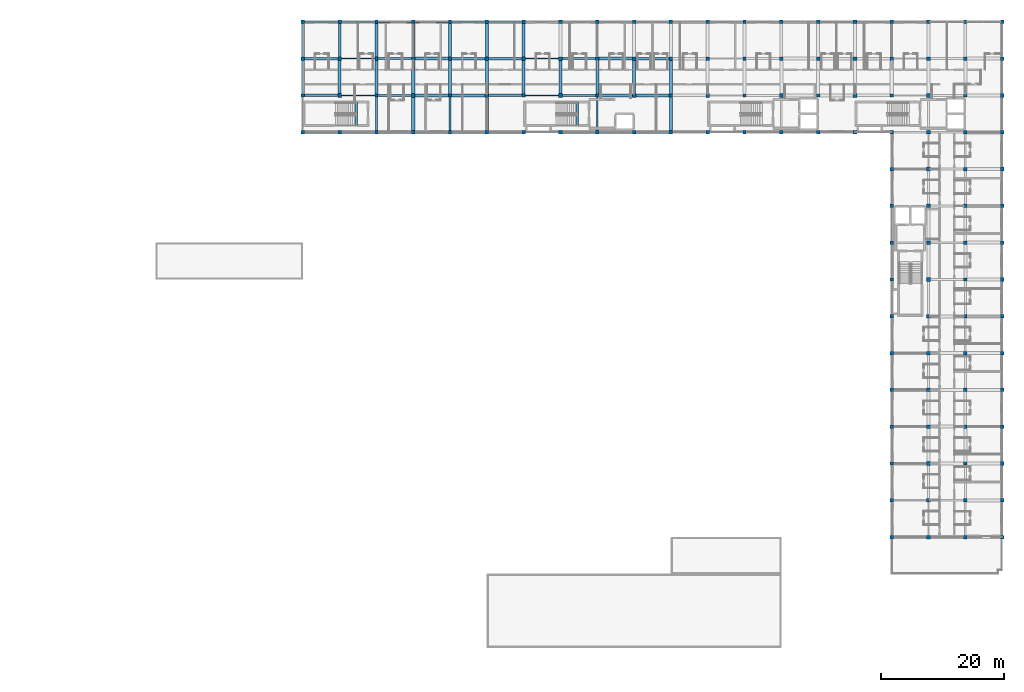
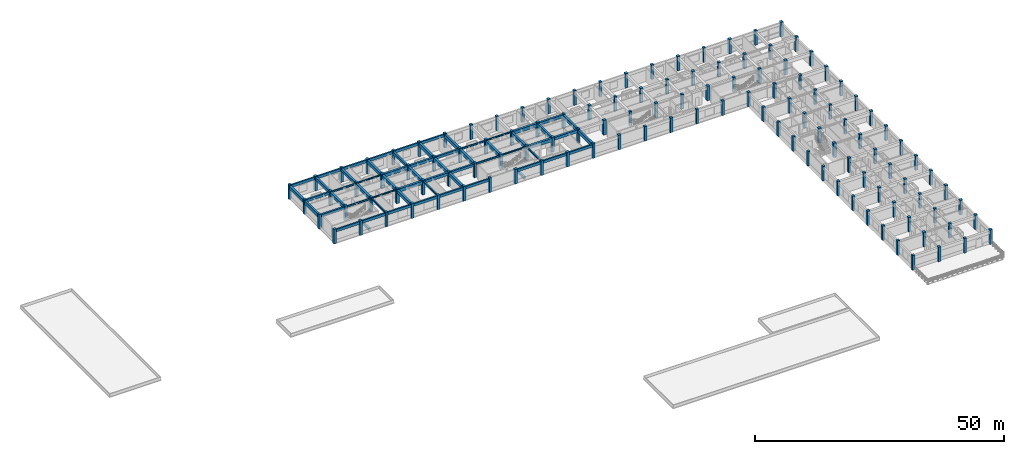
# One storey, part 1 of 25: 124 columns, 61 beams.
"""IFC4 building model written with IfcOpenShell, lengths in metres."""

import ifcopenshell
import ifcopenshell.guid

model = None  # the IFC model being written
_history = None  # IfcOwnerHistory: only IFC2X3 demands one
_inside = {}  # id of a spatial element -> (the spatial element, [elements in it])
_under = {}  # id of a project, library or spatial element -> (it, [spatial elements below it])
_declared = {}  # id of a project -> (the project, [libraries it declares])
_typed = {}  # id of a type object -> (the type object, [elements of that type])
_made_of = {}  # id of a material, layer set ... -> (it, [elements and type objects made of it])


def new_model(schema):
    """Start an empty IFC model of exactly this schema.

    Asked for "IFC4X3", IfcOpenShell would pick the latest addendum, in which some entities
    have other attributes; the version numbers below select the first issue.
    IFC2X3 requires an IfcOwnerHistory on every rooted entity: one is made here for all.
    """
    global model, _history
    if schema == "IFC4X3":
        model = ifcopenshell.file(schema_version=(4, 3, 0, 0))
    else:
        model = ifcopenshell.file(schema=schema)
    _inside.clear()
    _under.clear()
    _declared.clear()
    _typed.clear()
    _made_of.clear()
    _history = None
    if model.schema == "IFC2X3":
        org = make("IfcOrganization", Name="unknown")
        user = make(
            "IfcPersonAndOrganization",
            ThePerson=make("IfcPerson", FamilyName="unknown"),
            TheOrganization=org,
        )
        app = make(
            "IfcApplication",
            ApplicationDeveloper=org,
            Version="unknown",
            ApplicationFullName="unknown",
            ApplicationIdentifier="unknown",
        )
        _history = make(
            "IfcOwnerHistory",
            OwningUser=user,
            OwningApplication=app,
            ChangeAction="ADDED",
            CreationDate=0,
        )
    return model


def make(cls, **values):
    """One entity of the class cls with the attributes given. An attribute that is None is left unset."""
    return model.create_entity(
        cls, **{name: value for name, value in values.items() if value is not None}
    )


def rooted(cls, **values):
    """An entity with a GlobalId (a new one), such as an element, a storey or a relation."""
    return make(cls, GlobalId=ifcopenshell.guid.new(), OwnerHistory=_history, **values)


def si_unit(unit_type, name, prefix=None):
    """IfcSIUnit, for example si_unit("LENGTHUNIT", "METRE", prefix="MILLI")."""
    return make("IfcSIUnit", UnitType=unit_type, Prefix=prefix, Name=name)


def assignment(units):
    """IfcUnitAssignment: the units of a project."""
    return None if units is None else make("IfcUnitAssignment", Units=units)


def point(xyz):
    """IfcCartesianPoint."""
    return None if xyz is None else make("IfcCartesianPoint", Coordinates=xyz)


def direction(xyz):
    """IfcDirection."""
    return None if xyz is None else make("IfcDirection", DirectionRatios=xyz)


def frame(location, z_axis=None, x_axis=None):
    """IfcAxis2Placement3D, a coordinate frame: its origin and axes. An axis left out is left unset."""
    return make(
        "IfcAxis2Placement3D",
        Location=point(location),
        Axis=direction(z_axis),
        RefDirection=direction(x_axis),
    )


def frame_2d(location, x_axis=None):
    """IfcAxis2Placement2D, a coordinate frame in the plane: its origin and x axis."""
    return make(
        "IfcAxis2Placement2D", Location=point(location), RefDirection=direction(x_axis)
    )


def origin():
    """The frame at (0, 0, 0) with its axes left unset."""
    return frame((0.0, 0.0, 0.0))


def origin_2d():
    """The frame at (0, 0) in the plane with its x axis left unset."""
    return frame_2d((0.0, 0.0))


def place(relative_to, where):
    """IfcLocalPlacement: puts the frame where relative to a parent placement (None: the world)."""
    return make(
        "IfcLocalPlacement", PlacementRelTo=relative_to, RelativePlacement=where
    )


def context(
    kind, dimensions, precision=None, world=None, true_north=None, identifier=None
):
    """IfcGeometricRepresentationContext, for example the 3D "Model" context."""
    return make(
        "IfcGeometricRepresentationContext",
        ContextIdentifier=identifier,
        ContextType=kind,
        CoordinateSpaceDimension=dimensions,
        Precision=precision,
        WorldCoordinateSystem=world,
        TrueNorth=true_north,
    )


def subcontext(parent, identifier, kind, view, scale=None):
    """IfcGeometricRepresentationSubContext, for example "Body" below "Model"."""
    return make(
        "IfcGeometricRepresentationSubContext",
        ContextIdentifier=identifier,
        ContextType=kind,
        ParentContext=parent,
        TargetScale=scale,
        TargetView=view,
    )


def project(units=None, contexts=None):
    """IfcProject with its units and contexts."""
    return rooted(
        "IfcProject",
        Name="project",
        RepresentationContexts=contexts,
        UnitsInContext=assignment(units),
    )


def spatial(cls, under=None, at=None, **own):
    """A site, building, storey or space (cls), placed at a placement, below another one or the project."""
    s = rooted(cls, ObjectPlacement=at, **own)
    if under is not None:
        _under.setdefault(under.id(), (under, []))[1].append(s)
    return s


def profile(cls, at=None, kind="AREA", **sizes):
    """A parametric profile (cls). Its sizes go by their IFC names, for example OverallWidth=200.0."""
    return make(cls, ProfileType=kind, Position=at, **sizes)


def rectangle(**sizes):
    """IfcRectangleProfileDef."""
    return profile("IfcRectangleProfileDef", **sizes)


def i_section(**sizes):
    """IfcIShapeProfileDef."""
    return profile("IfcIShapeProfileDef", **sizes)


def extrude(swept, where, along, depth):
    """IfcExtrudedAreaSolid: the profile swept, set in the frame where, extruded along a direction by depth."""
    return make(
        "IfcExtrudedAreaSolid",
        SweptArea=swept,
        Position=where,
        ExtrudedDirection=direction(along),
        Depth=depth,
    )


def shape(context_of_items, identifier, shape_type, items):
    """IfcShapeRepresentation: the items that make up one representation, for example the "Body"."""
    return make(
        "IfcShapeRepresentation",
        ContextOfItems=context_of_items,
        RepresentationIdentifier=identifier,
        RepresentationType=shape_type,
        Items=items,
    )


def material(Name=None, Category=None):
    """IfcMaterial."""
    return make("IfcMaterial", Name=Name, Category=Category)


def material_profile(
    of_material, cross_section, Name=None, Category=None, Priority=None
):
    """IfcMaterialProfile: a cross section and its material."""
    return make(
        "IfcMaterialProfile",
        Name=Name,
        Material=of_material,
        Profile=cross_section,
        Priority=Priority,
        Category=Category,
    )


def profile_set(profiles, Name=None, composite=None):
    """IfcMaterialProfileSet."""
    return make(
        "IfcMaterialProfileSet",
        Name=Name,
        MaterialProfiles=profiles,
        CompositeProfile=composite,
    )


def made_of(thing, what):
    """Note that an element or type object is made of a material, layer set ...; save() writes the relation."""
    if what is not None:
        _made_of.setdefault(what.id(), (what, []))[1].append(thing)
    return thing


def type_object(cls, material=None, **own):
    """A type object (cls), such as IfcWallType, which elements share."""
    return made_of(rooted(cls, **own), material)


def element(
    cls,
    number,
    at=None,
    inside=None,
    cuts=None,
    type_object=None,
    material=None,
    context=None,
    identifier="Body",
    shape_type=None,
    held_by="IfcProductDefinitionShape",
    body=None,
    shapes=None,
    **own,
):
    """One element of the class cls, such as IfcWall. Its Tag is "e" and its number.

    at: its placement. inside: the storey or other place that contains it. cuts: it is an
    opening in that element (IfcRelVoidsElement). A single representation is given by context,
    identifier, shape_type and body (its items); several are given by shapes. held_by: the class
    of the entity that holds the representations. save() writes the other relations.
    """
    e = rooted(cls, Tag="e%d" % number, ObjectPlacement=at, **own)
    if body is not None:
        shapes = [shape(context, identifier, shape_type, body)]
    if shapes is not None:
        e.Representation = make(held_by, Representations=shapes)
    if inside is not None:
        _inside.setdefault(inside.id(), (inside, []))[1].append(e)
    if cuts is not None:
        rooted(
            "IfcRelVoidsElement", RelatingBuildingElement=cuts, RelatedOpeningElement=e
        )
    if type_object is not None:
        _typed.setdefault(type_object.id(), (type_object, []))[1].append(e)
    return made_of(e, material)


def aggregate(whole, parts):
    """IfcRelAggregates: a whole, such as a stair, and the parts it consists of."""
    return rooted("IfcRelAggregates", RelatingObject=whole, RelatedObjects=parts)


def save(model, path):
    """Write the relations noted so far, then the file.

    IfcRelAggregates (storeys below a building ...), IfcRelContainedInSpatialStructure (elements
    in a storey), IfcRelDefinesByType, IfcRelAssociatesMaterial and IfcRelDeclares: one each for
    every whole, place, type object, material and project.
    """
    for whole, parts in _under.values():
        aggregate(whole, parts)
    for where, things in _inside.values():
        rooted(
            "IfcRelContainedInSpatialStructure",
            RelatedElements=things,
            RelatingStructure=where,
        )
    for kind, things in _typed.values():
        rooted("IfcRelDefinesByType", RelatedObjects=things, RelatingType=kind)
    for what, things in _made_of.values():
        rooted("IfcRelAssociatesMaterial", RelatedObjects=things, RelatingMaterial=what)
    for by, libraries in _declared.values():
        rooted("IfcRelDeclares", RelatingContext=by, RelatedDefinitions=libraries)
    model.write(path)


model = new_model("IFC4")

# Units and contexts
model_context = context("Model", 3, precision=1e-05, world=origin(), true_north=direction((0.0, 1.0)))
body_context = subcontext(model_context, "Body", "Model", "MODEL_VIEW")
ifc_project = project(units=[si_unit("LENGTHUNIT", "METRE"), si_unit("AREAUNIT", "SQUARE_METRE"), si_unit("VOLUMEUNIT", "CUBIC_METRE"), si_unit("PLANEANGLEUNIT", "RADIAN"), si_unit("MASSUNIT", "GRAM", prefix="KILO"), si_unit("THERMODYNAMICTEMPERATUREUNIT", "KELVIN"), si_unit("POWERUNIT", "WATT")], contexts=[model_context])

# Site, building, storey
site_placement = place(None, origin())
site = spatial("IfcSite", under=ifc_project, at=site_placement, CompositionType="ELEMENT")
building_placement = place(site_placement, origin())
building = spatial("IfcBuilding", under=site, at=building_placement, Name="Phaisarnlok Congress Hotel", CompositionType="ELEMENT")
storey_placement = place(building_placement, frame((0.0, 0.0, 24.60009765625)))
storey = spatial("IfcBuildingStorey", under=building, at=storey_placement, Name="L05", CompositionType="ELEMENT", Elevation=24.60009765625)

# Columns
ifc_material_1 = material(Name="Concrete C50/60", Category="concrete")
ifc_material_profile_1 = material_profile(ifc_material_1, rectangle(XDim=0.550048828125, YDim=0.550048828125, at=origin_2d()), Name="RC 550x550")
ifc_profile_set_1 = profile_set([ifc_material_profile_1], Name="Concrete C50/60")
column_type_1 = type_object("IfcColumnType", Name="COL-RC-550", PredefinedType="COLUMN", material=ifc_profile_set_1)
for number, where, z_axis, x_axis, name in (
    (1, (66.0, 108.0, 0.0), (0.0, 0.0, 1.0), (1.0, 0.0, 0.0), "Column C-02 (L05)"),
    (2, (66.0, 114.0, 0.0), (0.0, 0.0, 1.0), (1.0, 0.0, 0.0), "Column C-02 (L05)"),
    (3, (66.0, 120.0, 0.0), (0.0, 0.0, 1.0), (1.0, 0.0, 0.0), "Column C-02 (L05)"),
    (4, (78.0, 108.0, 0.0), (0.0, 0.0, 1.0), (1.0, 0.0, 0.0), "Column C-02 (L05)"),
    (5, (78.0, 114.0, 0.0), (0.0, 0.0, 1.0), (1.0, 0.0, 0.0), "Column C-02 (L05)"),
    (6, (78.0, 120.0, 0.0), (0.0, 0.0, 1.0), (1.0, 0.0, 0.0), "Column C-02 (L05)"),
    (7, (90.0, 108.0, 0.0), (0.0, 0.0, 1.0), (1.0, 0.0, 0.0), "Column C-02 (L05)"),
    (8, (90.0, 114.0, 0.0), (0.0, 0.0, 1.0), (1.0, 0.0, 0.0), "Column C-02 (L05)"),
    (9, (90.0, 120.0, 0.0), (0.0, 0.0, 1.0), (1.0, 0.0, 0.0), "Column C-02 (L05)"),
    (10, (102.0, 108.0, 0.0), (0.0, 0.0, 1.0), (1.0, 0.0, 0.0), "Column C-02 (L05)"),
    (11, (102.0, 114.0, 0.0), (0.0, 0.0, 1.0), (1.0, 0.0, 0.0), "Column C-02 (L05)"),
    (12, (102.0, 120.0, 0.0), (0.0, 0.0, 1.0), (1.0, 0.0, 0.0), "Column C-02 (L05)"),
    (13, (114.0, 108.0, 0.0), (0.0, 0.0, 1.0), (1.0, 0.0, 0.0), "Column C-02 (L05)"),
    (14, (114.0, 114.0, 0.0), (0.0, 0.0, 1.0), (1.0, 0.0, 0.0), "Column C-02 (L05)"),
    (15, (114.0, 120.0, 0.0), (0.0, 0.0, 1.0), (1.0, 0.0, 0.0), "Column C-02 (L05)"),
    (16, (126.0, 108.0, 0.0), (0.0, 0.0, 1.0), (1.0, 0.0, 0.0), "Column C-02 (L05)"),
    (17, (126.0, 114.0, 0.0), (0.0, 0.0, 1.0), (1.0, 0.0, 0.0), "Column C-02 (L05)"),
    (18, (126.0, 120.0, 0.0), (0.0, 0.0, 1.0), (1.0, 0.0, 0.0), "Column C-02 (L05)"),
    (19, (138.0, 108.0, 0.0), (0.0, 0.0, 1.0), (1.0, 0.0, 0.0), "Column C-02 (L05)"),
    (20, (138.0, 114.0, 0.0), (0.0, 0.0, 1.0), (1.0, 0.0, 0.0), "Column C-02 (L05)"),
    (21, (138.0, 120.0, 0.0), (0.0, 0.0, 1.0), (1.0, 0.0, 0.0), "Column C-02 (L05)"),
    (22, (150.0, 108.0, 0.0), (0.0, 0.0, 1.0), (1.0, 0.0, 0.0), "Column C-02 (L05)"),
    (23, (150.0, 114.0, 0.0), (0.0, 0.0, 1.0), (1.0, 0.0, 0.0), "Column C-02 (L05)"),
    (24, (150.0, 120.0, 0.0), (0.0, 0.0, 1.0), (1.0, 0.0, 0.0), "Column C-02 (L05)"),
    (25, (162.0, 42.0, 0.0), (0.0, 0.0, 1.0), (1.0, 0.0, 0.0), "Column C-02 (L05)"),
    (26, (162.0, 48.0, 0.0), (0.0, 0.0, 1.0), (1.0, 0.0, 0.0), "Column C-02 (L05)"),
    (27, (162.0, 54.0, 0.0), (0.0, 0.0, 1.0), (1.0, 0.0, 0.0), "Column C-02 (L05)"),
    (28, (162.0, 60.0, 0.0), (0.0, 0.0, 1.0), (1.0, 0.0, 0.0), "Column C-02 (L05)"),
    (29, (162.0, 66.0, 0.0), (0.0, 0.0, 1.0), (1.0, 0.0, 0.0), "Column C-02 (L05)"),
    (30, (162.0, 72.0, 0.0), (0.0, 0.0, 1.0), (1.0, 0.0, 0.0), "Column C-02 (L05)"),
    (31, (162.0, 78.0, 0.0), (0.0, 0.0, 1.0), (1.0, 0.0, 0.0), "Column C-02 (L05)"),
    (32, (162.0, 84.0, 0.0), (0.0, 0.0, 1.0), (1.0, 0.0, 0.0), "Column C-02 (L05)"),
    (33, (162.0, 90.0, 0.0), (0.0, 0.0, 1.0), (1.0, 0.0, 0.0), "Column C-02 (L05)"),
    (34, (162.0, 96.0, 0.0), (0.0, 0.0, 1.0), (1.0, 0.0, 0.0), "Column C-02 (L05)"),
    (35, (162.0, 102.0, 0.0), (0.0, 0.0, 1.0), (1.0, 0.0, 0.0), "Column C-02 (L05)"),
    (36, (162.0, 108.0, 0.0), (0.0, 0.0, 1.0), (1.0, 0.0, 0.0), "Column C-02 (L05)"),
    (37, (162.0, 114.0, 0.0), (0.0, 0.0, 1.0), (1.0, 0.0, 0.0), "Column C-02 (L05)"),
    (38, (162.0, 120.0, 0.0), (0.0, 0.0, 1.0), (1.0, 0.0, 0.0), "Column C-02 (L05)"),
    (39, (174.0, 42.0, 0.0), (0.0, 0.0, 1.0), (1.0, 0.0, 0.0), "Column C-02 (L05)"),
    (40, (174.0, 48.0, 0.0), (0.0, 0.0, 1.0), (1.0, 0.0, 0.0), "Column C-02 (L05)"),
    (41, (174.0, 54.0, 0.0), (0.0, 0.0, 1.0), (1.0, 0.0, 0.0), "Column C-02 (L05)"),
    (42, (174.0, 60.0, 0.0), (0.0, 0.0, 1.0), (1.0, 0.0, 0.0), "Column C-02 (L05)"),
    (43, (174.0, 66.0, 0.0), (0.0, 0.0, 1.0), (1.0, 0.0, 0.0), "Column C-02 (L05)"),
    (44, (174.0, 72.0, 0.0), (0.0, 0.0, 1.0), (1.0, 0.0, 0.0), "Column C-02 (L05)"),
    (45, (174.0, 78.0, 0.0), (0.0, 0.0, 1.0), (1.0, 0.0, 0.0), "Column C-02 (L05)"),
    (46, (174.0, 84.0, 0.0), (0.0, 0.0, 1.0), (1.0, 0.0, 0.0), "Column C-02 (L05)"),
    (47, (174.0, 90.0, 0.0), (0.0, 0.0, 1.0), (1.0, 0.0, 0.0), "Column C-02 (L05)"),
    (48, (174.0, 96.0, 0.0), (0.0, 0.0, 1.0), (1.0, 0.0, 0.0), "Column C-02 (L05)"),
    (49, (174.0, 102.0, 0.0), (0.0, 0.0, 1.0), (1.0, 0.0, 0.0), "Column C-02 (L05)"),
    (50, (174.0, 108.0, 0.0), (0.0, 0.0, 1.0), (1.0, 0.0, 0.0), "Column C-02 (L05)"),
    (51, (174.0, 114.0, 0.0), (0.0, 0.0, 1.0), (1.0, 0.0, 0.0), "Column C-02 (L05)"),
    (52, (174.0, 120.0, 0.0), (0.0, 0.0, 1.0), (1.0, 0.0, 0.0), "Column C-02 (L05)"),
):
    element("IfcColumn", number, at=place(storey_placement, frame(where, z_axis=z_axis, x_axis=x_axis)), inside=storey, type_object=column_type_1, Name=name, PredefinedType="COLUMN", context=body_context, shape_type="SweptSolid", body=[
        extrude(rectangle(XDim=0.550048828125, YDim=0.550048828125, at=origin_2d()), origin(), (0.0, 0.0, 1.0), 3.599853515625),
    ])
ifc_material_profile_2 = material_profile(ifc_material_1, rectangle(XDim=0.550048828125, YDim=0.550048828125, at=origin_2d()), Name="RC 550x550")
ifc_profile_set_2 = profile_set([ifc_material_profile_2], Name="Concrete C50/60")
column_type_2 = type_object("IfcColumnType", Name="COL-RC-550-EXT", PredefinedType="COLUMN", material=ifc_profile_set_2)
for number, where, z_axis, x_axis, name in (
    (53, (66.0, 126.0, 0.0), (0.0, 0.0, 1.0), (1.0, 0.0, 0.0), "Column C-02E (L05)"),
    (54, (78.0, 126.0, 0.0), (0.0, 0.0, 1.0), (1.0, 0.0, 0.0), "Column C-02E (L05)"),
    (55, (90.0, 126.0, 0.0), (0.0, 0.0, 1.0), (1.0, 0.0, 0.0), "Column C-02E (L05)"),
    (56, (102.0, 126.0, 0.0), (0.0, 0.0, 1.0), (1.0, 0.0, 0.0), "Column C-02E (L05)"),
    (57, (114.0, 126.0, 0.0), (0.0, 0.0, 1.0), (1.0, 0.0, 0.0), "Column C-02E (L05)"),
    (58, (126.0, 126.0, 0.0), (0.0, 0.0, 1.0), (1.0, 0.0, 0.0), "Column C-02E (L05)"),
    (59, (138.0, 126.0, 0.0), (0.0, 0.0, 1.0), (1.0, 0.0, 0.0), "Column C-02E (L05)"),
    (60, (150.0, 126.0, 0.0), (0.0, 0.0, 1.0), (1.0, 0.0, 0.0), "Column C-02E (L05)"),
    (61, (162.0, 126.0, 0.0), (0.0, 0.0, 1.0), (1.0, 0.0, 0.0), "Column C-02E (L05)"),
    (62, (174.0, 126.0, 0.0), (0.0, 0.0, 1.0), (1.0, 0.0, 0.0), "Column C-02E (L05)"),
):
    element("IfcColumn", number, at=place(storey_placement, frame(where, z_axis=z_axis, x_axis=x_axis)), inside=storey, type_object=column_type_2, Name=name, PredefinedType="COLUMN", context=body_context, shape_type="SweptSolid", body=[
        extrude(rectangle(XDim=0.550048828125, YDim=0.550048828125, at=origin_2d()), origin(), (0.0, 0.0, 1.0), 3.599853515625),
    ])
ifc_material_profile_3 = material_profile(ifc_material_1, rectangle(XDim=0.60009765625, YDim=0.60009765625, at=origin_2d()), Name="RC 600x600")
ifc_profile_set_3 = profile_set([ifc_material_profile_3], Name="Concrete C50/60")
column_type_3 = type_object("IfcColumnType", Name="COL-RC-600", PredefinedType="COLUMN", material=ifc_profile_set_3)
for number, where, z_axis, x_axis, name in (
    (63, (72.0, 108.0, 0.0), (0.0, 0.0, 1.0), (1.0, 0.0, 0.0), "Column C-03 (L05)"),
    (64, (72.0, 114.0, 0.0), (0.0, 0.0, 1.0), (1.0, 0.0, 0.0), "Column C-03 (L05)"),
    (65, (72.0, 120.0, 0.0), (0.0, 0.0, 1.0), (1.0, 0.0, 0.0), "Column C-03 (L05)"),
    (66, (84.0, 108.0, 0.0), (0.0, 0.0, 1.0), (1.0, 0.0, 0.0), "Column C-03 (L05)"),
    (67, (84.0, 114.0, 0.0), (0.0, 0.0, 1.0), (1.0, 0.0, 0.0), "Column C-03 (L05)"),
    (68, (84.0, 120.0, 0.0), (0.0, 0.0, 1.0), (1.0, 0.0, 0.0), "Column C-03 (L05)"),
    (69, (96.0, 108.0, 0.0), (0.0, 0.0, 1.0), (1.0, 0.0, 0.0), "Column C-03 (L05)"),
    (70, (96.0, 114.0, 0.0), (0.0, 0.0, 1.0), (1.0, 0.0, 0.0), "Column C-03 (L05)"),
    (71, (96.0, 120.0, 0.0), (0.0, 0.0, 1.0), (1.0, 0.0, 0.0), "Column C-03 (L05)"),
    (72, (108.0, 108.0, 0.0), (0.0, 0.0, 1.0), (1.0, 0.0, 0.0), "Column C-03 (L05)"),
    (73, (108.0, 114.0, 0.0), (0.0, 0.0, 1.0), (1.0, 0.0, 0.0), "Column C-03 (L05)"),
    (74, (108.0, 120.0, 0.0), (0.0, 0.0, 1.0), (1.0, 0.0, 0.0), "Column C-03 (L05)"),
    (75, (120.0, 108.0, 0.0), (0.0, 0.0, 1.0), (1.0, 0.0, 0.0), "Column C-03 (L05)"),
    (76, (120.0, 114.0, 0.0), (0.0, 0.0, 1.0), (1.0, 0.0, 0.0), "Column C-03 (L05)"),
    (77, (120.0, 120.0, 0.0), (0.0, 0.0, 1.0), (1.0, 0.0, 0.0), "Column C-03 (L05)"),
    (78, (132.0, 108.0, 0.0), (0.0, 0.0, 1.0), (1.0, 0.0, 0.0), "Column C-03 (L05)"),
    (79, (132.0, 114.0, 0.0), (0.0, 0.0, 1.0), (1.0, 0.0, 0.0), "Column C-03 (L05)"),
    (80, (132.0, 120.0, 0.0), (0.0, 0.0, 1.0), (1.0, 0.0, 0.0), "Column C-03 (L05)"),
    (81, (144.0, 108.0, 0.0), (0.0, 0.0, 1.0), (1.0, 0.0, 0.0), "Column C-03 (L05)"),
    (82, (144.0, 114.0, 0.0), (0.0, 0.0, 1.0), (1.0, 0.0, 0.0), "Column C-03 (L05)"),
    (83, (144.0, 120.0, 0.0), (0.0, 0.0, 1.0), (1.0, 0.0, 0.0), "Column C-03 (L05)"),
    (84, (156.0, 108.0, 0.0), (0.0, 0.0, 1.0), (1.0, 0.0, 0.0), "Column C-03 (L05)"),
    (85, (156.0, 114.0, 0.0), (0.0, 0.0, 1.0), (1.0, 0.0, 0.0), "Column C-03 (L05)"),
    (86, (156.0, 120.0, 0.0), (0.0, 0.0, 1.0), (1.0, 0.0, 0.0), "Column C-03 (L05)"),
    (87, (168.0, 42.0, 0.0), (0.0, 0.0, 1.0), (1.0, 0.0, 0.0), "Column C-03 (L05)"),
    (88, (168.0, 48.0, 0.0), (0.0, 0.0, 1.0), (1.0, 0.0, 0.0), "Column C-03 (L05)"),
    (89, (168.0, 54.0, 0.0), (0.0, 0.0, 1.0), (1.0, 0.0, 0.0), "Column C-03 (L05)"),
    (90, (168.0, 60.0, 0.0), (0.0, 0.0, 1.0), (1.0, 0.0, 0.0), "Column C-03 (L05)"),
    (91, (168.0, 66.0, 0.0), (0.0, 0.0, 1.0), (1.0, 0.0, 0.0), "Column C-03 (L05)"),
    (92, (168.0, 72.0, 0.0), (0.0, 0.0, 1.0), (1.0, 0.0, 0.0), "Column C-03 (L05)"),
    (93, (168.0, 78.0, 0.0), (0.0, 0.0, 1.0), (1.0, 0.0, 0.0), "Column C-03 (L05)"),
    (94, (168.0, 84.0, 0.0), (0.0, 0.0, 1.0), (1.0, 0.0, 0.0), "Column C-03 (L05)"),
    (95, (168.0, 90.0, 0.0), (0.0, 0.0, 1.0), (1.0, 0.0, 0.0), "Column C-03 (L05)"),
    (96, (168.0, 96.0, 0.0), (0.0, 0.0, 1.0), (1.0, 0.0, 0.0), "Column C-03 (L05)"),
    (97, (168.0, 102.0, 0.0), (0.0, 0.0, 1.0), (1.0, 0.0, 0.0), "Column C-03 (L05)"),
    (98, (168.0, 108.0, 0.0), (0.0, 0.0, 1.0), (1.0, 0.0, 0.0), "Column C-03 (L05)"),
    (99, (168.0, 114.0, 0.0), (0.0, 0.0, 1.0), (1.0, 0.0, 0.0), "Column C-03 (L05)"),
    (100, (168.0, 120.0, 0.0), (0.0, 0.0, 1.0), (1.0, 0.0, 0.0), "Column C-03 (L05)"),
):
    element("IfcColumn", number, at=place(storey_placement, frame(where, z_axis=z_axis, x_axis=x_axis)), inside=storey, type_object=column_type_3, Name=name, PredefinedType="COLUMN", context=body_context, shape_type="SweptSolid", body=[
        extrude(rectangle(XDim=0.60009765625, YDim=0.60009765625, at=origin_2d()), origin(), (0.0, 0.0, 1.0), 3.599853515625),
    ])
ifc_material_profile_4 = material_profile(ifc_material_1, rectangle(XDim=0.60009765625, YDim=0.60009765625, at=origin_2d()), Name="RC 600x600")
ifc_profile_set_4 = profile_set([ifc_material_profile_4], Name="Concrete C50/60")
column_type_4 = type_object("IfcColumnType", Name="COL-RC-600-EXT", PredefinedType="COLUMN", material=ifc_profile_set_4)
for number, where, z_axis, x_axis, name in (
    (101, (72.0, 126.0, 0.0), (0.0, 0.0, 1.0), (1.0, 0.0, 0.0), "Column C-03E (L05)"),
    (102, (84.0, 126.0, 0.0), (0.0, 0.0, 1.0), (1.0, 0.0, 0.0), "Column C-03E (L05)"),
    (103, (96.0, 126.0, 0.0), (0.0, 0.0, 1.0), (1.0, 0.0, 0.0), "Column C-03E (L05)"),
    (104, (108.0, 126.0, 0.0), (0.0, 0.0, 1.0), (1.0, 0.0, 0.0), "Column C-03E (L05)"),
    (105, (120.0, 126.0, 0.0), (0.0, 0.0, 1.0), (1.0, 0.0, 0.0), "Column C-03E (L05)"),
    (106, (132.0, 126.0, 0.0), (0.0, 0.0, 1.0), (1.0, 0.0, 0.0), "Column C-03E (L05)"),
    (107, (144.0, 126.0, 0.0), (0.0, 0.0, 1.0), (1.0, 0.0, 0.0), "Column C-03E (L05)"),
    (108, (156.0, 126.0, 0.0), (0.0, 0.0, 1.0), (1.0, 0.0, 0.0), "Column C-03E (L05)"),
    (109, (168.0, 126.0, 0.0), (0.0, 0.0, 1.0), (1.0, 0.0, 0.0), "Column C-03E (L05)"),
    (110, (180.0, 42.0, 0.0), (0.0, 0.0, 1.0), (1.0, 0.0, 0.0), "Column C-03E (L05)"),
    (111, (180.0, 48.0, 0.0), (0.0, 0.0, 1.0), (1.0, 0.0, 0.0), "Column C-03E (L05)"),
    (112, (180.0, 54.0, 0.0), (0.0, 0.0, 1.0), (1.0, 0.0, 0.0), "Column C-03E (L05)"),
    (113, (180.0, 60.0, 0.0), (0.0, 0.0, 1.0), (1.0, 0.0, 0.0), "Column C-03E (L05)"),
    (114, (180.0, 66.0, 0.0), (0.0, 0.0, 1.0), (1.0, 0.0, 0.0), "Column C-03E (L05)"),
    (115, (180.0, 72.0, 0.0), (0.0, 0.0, 1.0), (1.0, 0.0, 0.0), "Column C-03E (L05)"),
    (116, (180.0, 78.0, 0.0), (0.0, 0.0, 1.0), (1.0, 0.0, 0.0), "Column C-03E (L05)"),
    (117, (180.0, 84.0, 0.0), (0.0, 0.0, 1.0), (1.0, 0.0, 0.0), "Column C-03E (L05)"),
    (118, (180.0, 90.0, 0.0), (0.0, 0.0, 1.0), (1.0, 0.0, 0.0), "Column C-03E (L05)"),
    (119, (180.0, 96.0, 0.0), (0.0, 0.0, 1.0), (1.0, 0.0, 0.0), "Column C-03E (L05)"),
    (120, (180.0, 102.0, 0.0), (0.0, 0.0, 1.0), (1.0, 0.0, 0.0), "Column C-03E (L05)"),
    (121, (180.0, 108.0, 0.0), (0.0, 0.0, 1.0), (1.0, 0.0, 0.0), "Column C-03E (L05)"),
    (122, (180.0, 114.0, 0.0), (0.0, 0.0, 1.0), (1.0, 0.0, 0.0), "Column C-03E (L05)"),
    (123, (180.0, 120.0, 0.0), (0.0, 0.0, 1.0), (1.0, 0.0, 0.0), "Column C-03E (L05)"),
    (124, (180.0, 126.0, 0.0), (0.0, 0.0, 1.0), (1.0, 0.0, 0.0), "Column C-03E (L05)"),
):
    element("IfcColumn", number, at=place(storey_placement, frame(where, z_axis=z_axis, x_axis=x_axis)), inside=storey, type_object=column_type_4, Name=name, PredefinedType="COLUMN", context=body_context, shape_type="SweptSolid", body=[
        extrude(rectangle(XDim=0.60009765625, YDim=0.60009765625, at=origin_2d()), origin(), (0.0, 0.0, 1.0), 3.599853515625),
    ])

# Beams
ifc_material_2 = material(Name="Concrete C40/50", Category="concrete")
ifc_material_profile_5 = material_profile(ifc_material_2, rectangle(XDim=0.39990234375, YDim=0.60009765625, at=origin_2d()), Name="RC 400x600")
ifc_profile_set_5 = profile_set([ifc_material_profile_5], Name="Concrete C40/50")
beam_type_1 = type_object("IfcBeamType", Name="BM-RC-400x600", PredefinedType="BEAM", material=ifc_profile_set_5)
for number, where, z_axis, x_axis, name in (
    (125, (66.27001953125, 114.0, 3.079833984375), (1.0, 0.0, 0.0), (0.0, 1.0, 0.0), "Beam B-02"),
    (126, (66.27001953125, 120.0, 3.079833984375), (1.0, 0.0, 0.0), (0.0, 1.0, 0.0), "Beam B-02"),
    (127, (96.294921875, 114.0, 3.079833984375), (1.0, 0.0, 0.0), (0.0, 1.0, 0.0), "Beam B-02"),
    (128, (96.294921875, 120.0, 3.079833984375), (1.0, 0.0, 0.0), (0.0, 1.0, 0.0), "Beam B-02"),
):
    element("IfcBeam", number, at=place(storey_placement, frame(where, z_axis=z_axis, x_axis=x_axis)), inside=storey, type_object=beam_type_1, Name=name, PredefinedType="BEAM", context=body_context, shape_type="SweptSolid", body=[
        extrude(rectangle(XDim=0.39990234375, YDim=0.60009765625, at=origin_2d()), origin(), (0.0, 0.0, 1.0), 5.43505859375),
    ])
for number, where, z_axis, x_axis, name in (
    (129, (110.719970703125, 109.080078125, -0.300048828125), (0.0, 1.0, 0.0), (-1.0, 0.0, 0.0), "Stair landing header beam B-02 (CORE-4 L05)"),
    (130, (74.719970703125, 109.080078125, -0.300048828125), (0.0, 1.0, 0.0), (-1.0, 0.0, 0.0), "Stair landing header beam B-02 (STAIR-HW L05)"),
):
    element("IfcBeam", number, at=place(storey_placement, frame(where, z_axis=z_axis, x_axis=x_axis)), inside=storey, type_object=beam_type_1, Name=name, PredefinedType="BEAM", context=body_context, shape_type="SweptSolid", body=[
        extrude(rectangle(XDim=0.39990234375, YDim=0.60009765625, at=origin_2d()), origin(), (0.0, 0.0, 1.0), 3.83984375),
    ])
ifc_material_profile_6 = material_profile(ifc_material_2, rectangle(XDim=0.449951171875, YDim=0.699951171875, at=origin_2d()), Name="RC 450x700")
ifc_profile_set_6 = profile_set([ifc_material_profile_6], Name="Concrete C40/50")
beam_type_2 = type_object("IfcBeamType", Name="BM-RC-450x700", PredefinedType="BEAM", material=ifc_profile_set_6)
beam_1_placement = place(storey_placement, frame((72.0, 120.294921875, 3.02978515625), z_axis=(0.0, 1.0, 0.0), x_axis=(-1.0, 0.0, 0.0)))
element("IfcBeam", 131, at=beam_1_placement, inside=storey, type_object=beam_type_2, Name="Beam B-03", PredefinedType="BEAM", context=body_context, shape_type="SweptSolid", body=[
    extrude(rectangle(XDim=0.449951171875, YDim=0.699951171875, at=origin_2d()), origin(), (0.0, 0.0, 1.0), 5.41015625),
])
beam_2_placement = place(storey_placement, frame((78.0, 120.27001953125, 3.02978515625), z_axis=(0.0, 1.0, 0.0), x_axis=(-1.0, 0.0, 0.0)))
element("IfcBeam", 132, at=beam_2_placement, inside=storey, type_object=beam_type_2, Name="Beam B-03", PredefinedType="BEAM", context=body_context, shape_type="SweptSolid", body=[
    extrude(rectangle(XDim=0.449951171875, YDim=0.699951171875, at=origin_2d()), origin(), (0.0, 0.0, 1.0), 5.4599609375),
])
for number, where, z_axis, x_axis, name in (
    (133, (90.27001953125, 114.0, 3.02978515625), (1.0, 0.0, 0.0), (0.0, 1.0, 0.0), "Beam B-03"),
    (134, (90.27001953125, 120.0, 3.02978515625), (1.0, 0.0, 0.0), (0.0, 1.0, 0.0), "Beam B-03"),
):
    element("IfcBeam", number, at=place(storey_placement, frame(where, z_axis=z_axis, x_axis=x_axis)), inside=storey, type_object=beam_type_2, Name=name, PredefinedType="BEAM", context=body_context, shape_type="SweptSolid", body=[
        extrude(rectangle(XDim=0.449951171875, YDim=0.699951171875, at=origin_2d()), origin(), (0.0, 0.0, 1.0), 5.43505859375),
    ])
beam_3_placement = place(storey_placement, frame((90.0, 120.27001953125, 3.02978515625), z_axis=(0.0, 1.0, 0.0), x_axis=(-1.0, 0.0, 0.0)))
element("IfcBeam", 135, at=beam_3_placement, inside=storey, type_object=beam_type_2, Name="Beam B-03", PredefinedType="BEAM", context=body_context, shape_type="SweptSolid", body=[
    extrude(rectangle(XDim=0.449951171875, YDim=0.699951171875, at=origin_2d()), origin(), (0.0, 0.0, 1.0), 5.4599609375),
])
for number, where, z_axis, x_axis, name in (
    (136, (120.294921875, 114.0, 3.02978515625), (1.0, 0.0, 0.0), (0.0, 1.0, 0.0), "Beam B-03"),
    (137, (120.294921875, 120.0, 3.02978515625), (1.0, 0.0, 0.0), (0.0, 1.0, 0.0), "Beam B-03"),
):
    element("IfcBeam", number, at=place(storey_placement, frame(where, z_axis=z_axis, x_axis=x_axis)), inside=storey, type_object=beam_type_2, Name=name, PredefinedType="BEAM", context=body_context, shape_type="SweptSolid", body=[
        extrude(rectangle(XDim=0.449951171875, YDim=0.699951171875, at=origin_2d()), origin(), (0.0, 0.0, 1.0), 5.43505859375),
    ])
ifc_material_profile_7 = material_profile(ifc_material_2, rectangle(XDim=0.5, YDim=0.800048828125, at=origin_2d()), Name="RC 500x800")
ifc_profile_set_7 = profile_set([ifc_material_profile_7], Name="Concrete C40/50")
beam_type_3 = type_object("IfcBeamType", Name="BM-RC-500x800", PredefinedType="BEAM", material=ifc_profile_set_7)
beam_4_placement = place(storey_placement, frame((72.0, 114.294921875, 2.97998046875), z_axis=(0.0, 1.0, 0.0), x_axis=(-1.0, 0.0, 0.0)))
element("IfcBeam", 138, at=beam_4_placement, inside=storey, type_object=beam_type_3, Name="Beam B-04", PredefinedType="BEAM", context=body_context, shape_type="SweptSolid", body=[
    extrude(rectangle(XDim=0.5, YDim=0.800048828125, at=origin_2d()), origin(), (0.0, 0.0, 1.0), 5.41015625),
])
beam_5_placement = place(storey_placement, frame((78.0, 114.27001953125, 2.97998046875), z_axis=(0.0, 1.0, 0.0), x_axis=(-1.0, 0.0, 0.0)))
element("IfcBeam", 139, at=beam_5_placement, inside=storey, type_object=beam_type_3, Name="Beam B-04", PredefinedType="BEAM", context=body_context, shape_type="SweptSolid", body=[
    extrude(rectangle(XDim=0.5, YDim=0.800048828125, at=origin_2d()), origin(), (0.0, 0.0, 1.0), 5.4599609375),
])
beam_6_placement = place(storey_placement, frame((84.0, 108.294921875, 2.97998046875), z_axis=(0.0, 1.0, 0.0), x_axis=(-1.0, 0.0, 0.0)))
element("IfcBeam", 140, at=beam_6_placement, inside=storey, type_object=beam_type_3, Name="Beam B-04", PredefinedType="BEAM", context=body_context, shape_type="SweptSolid", body=[
    extrude(rectangle(XDim=0.5, YDim=0.800048828125, at=origin_2d()), origin(), (0.0, 0.0, 1.0), 5.41015625),
])
beam_7_placement = place(storey_placement, frame((84.294921875, 114.0, 2.97998046875), z_axis=(1.0, 0.0, 0.0), x_axis=(0.0, 1.0, 0.0)))
element("IfcBeam", 141, at=beam_7_placement, inside=storey, type_object=beam_type_3, Name="Beam B-04", PredefinedType="BEAM", context=body_context, shape_type="SweptSolid", body=[
    extrude(rectangle(XDim=0.5, YDim=0.800048828125, at=origin_2d()), origin(), (0.0, 0.0, 1.0), 5.43505859375),
])
beam_8_placement = place(storey_placement, frame((84.0, 114.294921875, 2.97998046875), z_axis=(0.0, 1.0, 0.0), x_axis=(-1.0, 0.0, 0.0)))
element("IfcBeam", 142, at=beam_8_placement, inside=storey, type_object=beam_type_3, Name="Beam B-04", PredefinedType="BEAM", context=body_context, shape_type="SweptSolid", body=[
    extrude(rectangle(XDim=0.5, YDim=0.800048828125, at=origin_2d()), origin(), (0.0, 0.0, 1.0), 5.41015625),
])
beam_9_placement = place(storey_placement, frame((84.294921875, 120.0, 2.97998046875), z_axis=(1.0, 0.0, 0.0), x_axis=(0.0, 1.0, 0.0)))
element("IfcBeam", 143, at=beam_9_placement, inside=storey, type_object=beam_type_3, Name="Beam B-04", PredefinedType="BEAM", context=body_context, shape_type="SweptSolid", body=[
    extrude(rectangle(XDim=0.5, YDim=0.800048828125, at=origin_2d()), origin(), (0.0, 0.0, 1.0), 5.43505859375),
])
beam_10_placement = place(storey_placement, frame((84.0, 120.294921875, 2.97998046875), z_axis=(0.0, 1.0, 0.0), x_axis=(-1.0, 0.0, 0.0)))
element("IfcBeam", 144, at=beam_10_placement, inside=storey, type_object=beam_type_3, Name="Beam B-04", PredefinedType="BEAM", context=body_context, shape_type="SweptSolid", body=[
    extrude(rectangle(XDim=0.5, YDim=0.800048828125, at=origin_2d()), origin(), (0.0, 0.0, 1.0), 5.41015625),
])
beam_11_placement = place(storey_placement, frame((90.0, 114.27001953125, 2.97998046875), z_axis=(0.0, 1.0, 0.0), x_axis=(-1.0, 0.0, 0.0)))
element("IfcBeam", 145, at=beam_11_placement, inside=storey, type_object=beam_type_3, Name="Beam B-04", PredefinedType="BEAM", context=body_context, shape_type="SweptSolid", body=[
    extrude(rectangle(XDim=0.5, YDim=0.800048828125, at=origin_2d()), origin(), (0.0, 0.0, 1.0), 5.4599609375),
])
for number, where, z_axis, x_axis, name in (
    (146, (96.0, 108.294921875, 2.97998046875), (0.0, 1.0, 0.0), (-1.0, 0.0, 0.0), "Beam B-04"),
    (147, (96.0, 114.294921875, 2.97998046875), (0.0, 1.0, 0.0), (-1.0, 0.0, 0.0), "Beam B-04"),
    (148, (96.0, 120.294921875, 2.97998046875), (0.0, 1.0, 0.0), (-1.0, 0.0, 0.0), "Beam B-04"),
):
    element("IfcBeam", number, at=place(storey_placement, frame(where, z_axis=z_axis, x_axis=x_axis)), inside=storey, type_object=beam_type_3, Name=name, PredefinedType="BEAM", context=body_context, shape_type="SweptSolid", body=[
        extrude(rectangle(XDim=0.5, YDim=0.800048828125, at=origin_2d()), origin(), (0.0, 0.0, 1.0), 5.41015625),
    ])
for number, where, z_axis, x_axis, name in (
    (149, (102.0, 114.27001953125, 2.97998046875), (0.0, 1.0, 0.0), (-1.0, 0.0, 0.0), "Beam B-04"),
    (150, (102.0, 120.27001953125, 2.97998046875), (0.0, 1.0, 0.0), (-1.0, 0.0, 0.0), "Beam B-04"),
):
    element("IfcBeam", number, at=place(storey_placement, frame(where, z_axis=z_axis, x_axis=x_axis)), inside=storey, type_object=beam_type_3, Name=name, PredefinedType="BEAM", context=body_context, shape_type="SweptSolid", body=[
        extrude(rectangle(XDim=0.5, YDim=0.800048828125, at=origin_2d()), origin(), (0.0, 0.0, 1.0), 5.4599609375),
    ])
beam_12_placement = place(storey_placement, frame((108.0, 114.294921875, 2.97998046875), z_axis=(0.0, 1.0, 0.0), x_axis=(-1.0, 0.0, 0.0)))
element("IfcBeam", 151, at=beam_12_placement, inside=storey, type_object=beam_type_3, Name="Beam B-04", PredefinedType="BEAM", context=body_context, shape_type="SweptSolid", body=[
    extrude(rectangle(XDim=0.5, YDim=0.800048828125, at=origin_2d()), origin(), (0.0, 0.0, 1.0), 5.41015625),
])
beam_13_placement = place(storey_placement, frame((114.27001953125, 114.0, 2.97998046875), z_axis=(1.0, 0.0, 0.0), x_axis=(0.0, 1.0, 0.0)))
element("IfcBeam", 152, at=beam_13_placement, inside=storey, type_object=beam_type_3, Name="Beam B-04", PredefinedType="BEAM", context=body_context, shape_type="SweptSolid", body=[
    extrude(rectangle(XDim=0.5, YDim=0.800048828125, at=origin_2d()), origin(), (0.0, 0.0, 1.0), 5.43505859375),
])
beam_14_placement = place(storey_placement, frame((114.0, 114.27001953125, 2.97998046875), z_axis=(0.0, 1.0, 0.0), x_axis=(-1.0, 0.0, 0.0)))
element("IfcBeam", 153, at=beam_14_placement, inside=storey, type_object=beam_type_3, Name="Beam B-04", PredefinedType="BEAM", context=body_context, shape_type="SweptSolid", body=[
    extrude(rectangle(XDim=0.5, YDim=0.800048828125, at=origin_2d()), origin(), (0.0, 0.0, 1.0), 5.4599609375),
])
beam_15_placement = place(storey_placement, frame((114.27001953125, 120.0, 2.97998046875), z_axis=(1.0, 0.0, 0.0), x_axis=(0.0, 1.0, 0.0)))
element("IfcBeam", 154, at=beam_15_placement, inside=storey, type_object=beam_type_3, Name="Beam B-04", PredefinedType="BEAM", context=body_context, shape_type="SweptSolid", body=[
    extrude(rectangle(XDim=0.5, YDim=0.800048828125, at=origin_2d()), origin(), (0.0, 0.0, 1.0), 5.43505859375),
])
beam_16_placement = place(storey_placement, frame((120.0, 114.294921875, 2.97998046875), z_axis=(0.0, 1.0, 0.0), x_axis=(-1.0, 0.0, 0.0)))
element("IfcBeam", 155, at=beam_16_placement, inside=storey, type_object=beam_type_3, Name="Beam B-04", PredefinedType="BEAM", context=body_context, shape_type="SweptSolid", body=[
    extrude(rectangle(XDim=0.5, YDim=0.800048828125, at=origin_2d()), origin(), (0.0, 0.0, 1.0), 5.41015625),
])
for number, where, z_axis, x_axis, name in (
    (156, (126.0, 108.27001953125, 2.97998046875), (0.0, 1.0, 0.0), (-1.0, 0.0, 0.0), "Beam B-04"),
    (157, (126.0, 114.27001953125, 2.97998046875), (0.0, 1.0, 0.0), (-1.0, 0.0, 0.0), "Beam B-04"),
):
    element("IfcBeam", number, at=place(storey_placement, frame(where, z_axis=z_axis, x_axis=x_axis)), inside=storey, type_object=beam_type_3, Name=name, PredefinedType="BEAM", context=body_context, shape_type="SweptSolid", body=[
        extrude(rectangle(XDim=0.5, YDim=0.800048828125, at=origin_2d()), origin(), (0.0, 0.0, 1.0), 5.4599609375),
    ])
ifc_material_3 = material(Name="Steel S355", Category="steel")
ifc_material_profile_8 = material_profile(ifc_material_3, i_section(OverallWidth=0.300048828125, OverallDepth=0.2900390625, WebThickness=0.008544921875, FlangeThickness=0.013916015625, FilletRadius=0.027099609375, at=origin_2d()), Name="HEA 300")
ifc_profile_set_8 = profile_set([ifc_material_profile_8], Name="Steel S355")
beam_type_4 = type_object("IfcBeamType", Name="BM-STL-HEA300", PredefinedType="BEAM", material=ifc_profile_set_8)
for number, where, z_axis, x_axis, name in (
    (158, (78.27001953125, 114.0, 3.23486328125), (1.0, 0.0, 0.0), (0.0, 1.0, 0.0), "Beam SB-05"),
    (159, (78.27001953125, 120.0, 3.23486328125), (1.0, 0.0, 0.0), (0.0, 1.0, 0.0), "Beam SB-05"),
    (160, (108.294921875, 114.0, 3.23486328125), (1.0, 0.0, 0.0), (0.0, 1.0, 0.0), "Beam SB-05"),
    (161, (108.294921875, 120.0, 3.23486328125), (1.0, 0.0, 0.0), (0.0, 1.0, 0.0), "Beam SB-05"),
):
    element("IfcBeam", number, at=place(storey_placement, frame(where, z_axis=z_axis, x_axis=x_axis)), inside=storey, type_object=beam_type_4, Name=name, PredefinedType="BEAM", context=body_context, shape_type="SweptSolid", body=[
        extrude(i_section(OverallWidth=0.300048828125, OverallDepth=0.2900390625, WebThickness=0.008544921875, FlangeThickness=0.013916015625, FilletRadius=0.027099609375, at=origin_2d()), origin(), (0.0, 0.0, 1.0), 5.43505859375),
    ])
ifc_material_profile_9 = material_profile(ifc_material_3, i_section(OverallWidth=0.300048828125, OverallDepth=0.340087890625, WebThickness=0.011962890625, FlangeThickness=0.021484375, FilletRadius=0.027099609375, at=origin_2d()), Name="HEB 340")
ifc_profile_set_9 = profile_set([ifc_material_profile_9], Name="Steel S355")
beam_type_5 = type_object("IfcBeamType", Name="BM-STL-HEB340", PredefinedType="BEAM", material=ifc_profile_set_9)
for number, where, z_axis, x_axis, name in (
    (162, (78.0, 108.27001953125, 3.2099609375), (0.0, 1.0, 0.0), (-1.0, 0.0, 0.0), "Beam SB-07"),
    (163, (90.0, 108.27001953125, 3.2099609375), (0.0, 1.0, 0.0), (-1.0, 0.0, 0.0), "Beam SB-07"),
    (164, (114.0, 108.27001953125, 3.2099609375), (0.0, 1.0, 0.0), (-1.0, 0.0, 0.0), "Beam SB-07"),
):
    element("IfcBeam", number, at=place(storey_placement, frame(where, z_axis=z_axis, x_axis=x_axis)), inside=storey, type_object=beam_type_5, Name=name, PredefinedType="BEAM", context=body_context, shape_type="SweptSolid", body=[
        extrude(i_section(OverallWidth=0.300048828125, OverallDepth=0.340087890625, WebThickness=0.011962890625, FlangeThickness=0.021484375, FilletRadius=0.027099609375, at=origin_2d()), origin(), (0.0, 0.0, 1.0), 5.4599609375),
    ])
ifc_material_profile_10 = material_profile(ifc_material_3, i_section(OverallWidth=0.18994140625, OverallDepth=0.449951171875, WebThickness=0.009521484375, FlangeThickness=0.0146484375, FilletRadius=0.02099609375, at=origin_2d()), Name="IPE 450")
ifc_profile_set_10 = profile_set([ifc_material_profile_10], Name="Steel S355")
beam_type_6 = type_object("IfcBeamType", Name="BM-STL-IPE450", PredefinedType="BEAM", material=ifc_profile_set_10)
for number, where, z_axis, x_axis, name in (
    (165, (72.294921875, 114.0, 3.15478515625), (1.0, 0.0, 0.0), (0.0, 1.0, 0.0), "Beam SB-01"),
    (166, (72.294921875, 120.0, 3.15478515625), (1.0, 0.0, 0.0), (0.0, 1.0, 0.0), "Beam SB-01"),
    (167, (102.27001953125, 114.0, 3.15478515625), (1.0, 0.0, 0.0), (0.0, 1.0, 0.0), "Beam SB-01"),
    (168, (102.27001953125, 120.0, 3.15478515625), (1.0, 0.0, 0.0), (0.0, 1.0, 0.0), "Beam SB-01"),
):
    element("IfcBeam", number, at=place(storey_placement, frame(where, z_axis=z_axis, x_axis=x_axis)), inside=storey, type_object=beam_type_6, Name=name, PredefinedType="BEAM", context=body_context, shape_type="SweptSolid", body=[
        extrude(i_section(OverallWidth=0.18994140625, OverallDepth=0.449951171875, WebThickness=0.009521484375, FlangeThickness=0.0146484375, FilletRadius=0.02099609375, at=origin_2d()), origin(), (0.0, 0.0, 1.0), 5.43505859375),
    ])
ifc_material_profile_11 = material_profile(ifc_material_2, rectangle(XDim=0.35009765625, YDim=0.64990234375, at=origin_2d()), Name="RC 350x650")
ifc_profile_set_11 = profile_set([ifc_material_profile_11], Name="Concrete C40/50")
beam_type_7 = type_object("IfcBeamType", Name="SP-RC-350x650", PredefinedType="SPANDREL", material=ifc_profile_set_11)
for number, where, z_axis, x_axis, name in (
    (169, (66.27001953125, 108.0, 3.054931640625), (1.0, 0.0, 0.0), (0.0, 1.0, 0.0), "Beam SP-01"),
    (170, (66.27001953125, 126.0, 3.054931640625), (1.0, 0.0, 0.0), (0.0, 1.0, 0.0), "Beam SP-01"),
    (171, (72.294921875, 108.0, 3.054931640625), (1.0, 0.0, 0.0), (0.0, 1.0, 0.0), "Beam SP-01"),
    (172, (72.294921875, 126.0, 3.054931640625), (1.0, 0.0, 0.0), (0.0, 1.0, 0.0), "Beam SP-01"),
    (173, (78.27001953125, 108.0, 3.054931640625), (1.0, 0.0, 0.0), (0.0, 1.0, 0.0), "Beam SP-01"),
    (174, (78.27001953125, 126.0, 3.054931640625), (1.0, 0.0, 0.0), (0.0, 1.0, 0.0), "Beam SP-01"),
    (175, (84.294921875, 108.0, 3.054931640625), (1.0, 0.0, 0.0), (0.0, 1.0, 0.0), "Beam SP-01"),
    (176, (84.294921875, 126.0, 3.054931640625), (1.0, 0.0, 0.0), (0.0, 1.0, 0.0), "Beam SP-01"),
    (177, (90.27001953125, 108.0, 3.054931640625), (1.0, 0.0, 0.0), (0.0, 1.0, 0.0), "Beam SP-01"),
    (178, (90.27001953125, 126.0, 3.054931640625), (1.0, 0.0, 0.0), (0.0, 1.0, 0.0), "Beam SP-01"),
    (179, (96.294921875, 108.0, 3.054931640625), (1.0, 0.0, 0.0), (0.0, 1.0, 0.0), "Beam SP-01"),
    (180, (96.294921875, 126.0, 3.054931640625), (1.0, 0.0, 0.0), (0.0, 1.0, 0.0), "Beam SP-01"),
    (181, (108.294921875, 108.0, 3.054931640625), (1.0, 0.0, 0.0), (0.0, 1.0, 0.0), "Beam SP-01"),
    (182, (114.27001953125, 108.0, 3.054931640625), (1.0, 0.0, 0.0), (0.0, 1.0, 0.0), "Beam SP-01"),
    (183, (120.294921875, 108.0, 3.054931640625), (1.0, 0.0, 0.0), (0.0, 1.0, 0.0), "Beam SP-01"),
):
    element("IfcBeam", number, at=place(storey_placement, frame(where, z_axis=z_axis, x_axis=x_axis)), inside=storey, type_object=beam_type_7, Name=name, PredefinedType="SPANDREL", context=body_context, shape_type="SweptSolid", body=[
        extrude(rectangle(XDim=0.35009765625, YDim=0.64990234375, at=origin_2d()), origin(), (0.0, 0.0, 1.0), 5.43505859375),
    ])
ifc_material_profile_12 = material_profile(ifc_material_2, rectangle(XDim=0.5, YDim=0.800048828125, at=origin_2d()), Name="RC 500x800")
ifc_profile_set_12 = profile_set([ifc_material_profile_12], Name="Concrete C40/50")
beam_type_8 = type_object("IfcBeamType", Name="SP-RC-500x800", PredefinedType="SPANDREL", material=ifc_profile_set_12)
for number, where, z_axis, x_axis, name in (
    (184, (66.0, 114.27001953125, 2.97998046875), (0.0, 1.0, 0.0), (-1.0, 0.0, 0.0), "Beam SP-04"),
    (185, (66.0, 120.27001953125, 2.97998046875), (0.0, 1.0, 0.0), (-1.0, 0.0, 0.0), "Beam SP-04"),
):
    element("IfcBeam", number, at=place(storey_placement, frame(where, z_axis=z_axis, x_axis=x_axis)), inside=storey, type_object=beam_type_8, Name=name, PredefinedType="SPANDREL", context=body_context, shape_type="SweptSolid", body=[
        extrude(rectangle(XDim=0.5, YDim=0.800048828125, at=origin_2d()), origin(), (0.0, 0.0, 1.0), 5.4599609375),
    ])

save(model, "model.ifc")
